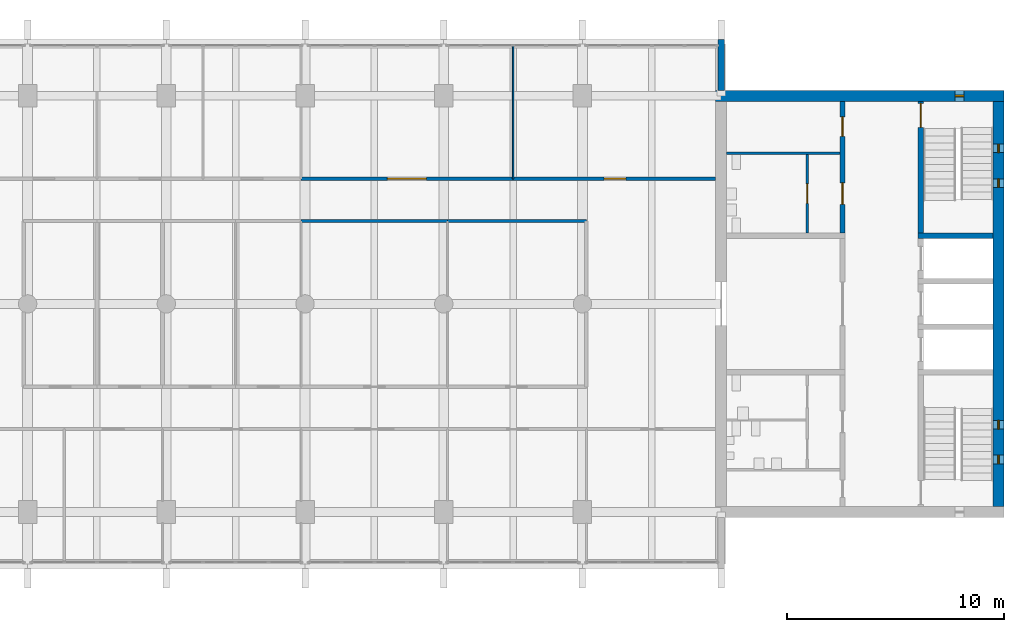
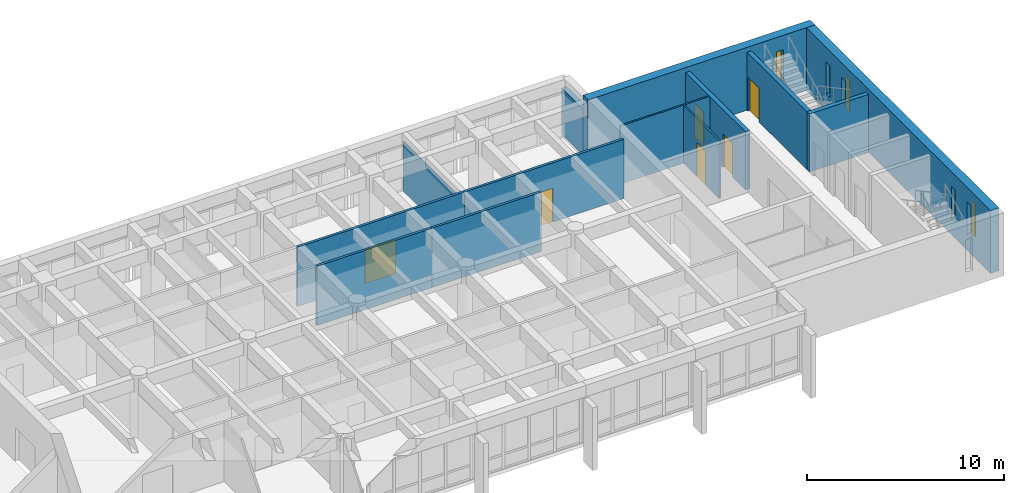
# One storey, part 12 of 15: 13 walls, 6 doors, 5 windows, 11 openings.
"""IFC4 building model written with IfcOpenShell, lengths in metres."""

from ifc_helpers import new_model, si_unit, direction, frame, frame_2d, origin, place, context, subcontext, project, spatial, rectangle, extrude, material, layer, layer_set, type_object, element, fill, save


model = new_model("IFC4")

# Units and contexts
model_context = context("Model", 3, precision=1e-05, world=origin(), true_north=direction((0.0, 1.0)))
body_context = subcontext(model_context, "Body", "Model", "MODEL_VIEW")
ifc_project = project(units=[si_unit("LENGTHUNIT", "METRE"), si_unit("AREAUNIT", "SQUARE_METRE"), si_unit("VOLUMEUNIT", "CUBIC_METRE"), si_unit("PLANEANGLEUNIT", "RADIAN"), si_unit("MASSUNIT", "GRAM", prefix="KILO")], contexts=[model_context])

# Site, building, storey
site_placement = place(None, origin())
site = spatial("IfcSite", under=ifc_project, at=site_placement, CompositionType="ELEMENT")
building_placement = place(site_placement, origin())
building = spatial("IfcBuilding", under=site, at=building_placement, Name="Fogon Plaza Fire Station and Headquarters Tower", CompositionType="ELEMENT")
storey_placement = place(building_placement, frame((0.0, 0.0, 52.199951171875)))
storey = spatial("IfcBuildingStorey", under=building, at=storey_placement, Name="L13", CompositionType="ELEMENT", Elevation=52.199951171875)

# Wall
ifc_material_1 = material(Name="Concrete C40", Category="concrete")
ifc_layer_1 = layer(ifc_material_1, 0.25)
ifc_layer_set_1 = layer_set([ifc_layer_1], Name="Concrete C40")
wall_type_1 = type_object("IfcWallType", Name="Core Wall RC 250", PredefinedType="SOLIDWALL", material=ifc_layer_set_1)
wall_1_placement = place(storey_placement, frame((76.550048828125, 46.35009765625, 0.0), z_axis=(0.0, 0.0, 1.0), x_axis=(-1.0, 0.0, 0.0)))
element("IfcWall", 1, at=wall_1_placement, inside=storey, type_object=wall_type_1, Name="Core B shaft wall", PredefinedType="SOLIDWALL", context=body_context, shape_type="SweptSolid", body=[
    extrude(rectangle(XDim=3.47509765625, YDim=0.25, at=frame_2d((1.737548828125, 0.0))), origin(), (0.0, 0.0, 1.0), 3.60009765625),
])

# Wall, opening, door
wall_2_placement = place(storey_placement, frame((73.199951171875, 46.47509765625, 0.0), z_axis=(0.0, 0.0, 1.0), x_axis=(0.0, 1.0, 0.0)))
wall_2 = element("IfcWall", 2, at=wall_2_placement, inside=storey, type_object=wall_type_1, Name="Core B shaft wall", PredefinedType="SOLIDWALL", context=body_context, shape_type="SweptSolid", body=[
    extrude(rectangle(XDim=6.074951171875, YDim=0.25, at=frame_2d((3.03759765625, 0.0))), origin(), (0.0, 0.0, 1.0), 3.60009765625),
])
opening_1_placement = place(wall_2_placement, frame((4.875, 0.0, 0.0)))
opening_1 = element("IfcOpeningElement", 3, at=opening_1_placement, cuts=wall_2, Name="Opening L13-D16", PredefinedType="OPENING", context=body_context, shape_type="SweptSolid", body=[
    extrude(rectangle(XDim=1.10009765625, YDim=2.10009765625, at=frame_2d((0.550048828125, 1.050048828125))), frame((0.0, 0.135009765625, 0.0), z_axis=(0.0, -1.0, 0.0), x_axis=(1.0, 0.0, 0.0)), (0.0, 0.0, 1.0), 0.27001953125),
])
ifc_material_2 = material(Name="Steel Fire Door Leaf", Category="steel")
door_type_1 = type_object("IfcDoorType", Name="Stair Door Single 1100x2100", OperationType="SINGLE_SWING_LEFT", PredefinedType="DOOR", material=ifc_material_2)
door_1_placement = place(opening_1_placement, frame((1.10009765625, 0.0, 0.0), z_axis=(0.0, 0.0, 1.0), x_axis=(-1.0, 0.0, 0.0)))
door_1 = element("IfcDoor", 4, at=door_1_placement, inside=storey, type_object=door_type_1, Name="Stair door ST4", OperationType="SINGLE_SWING_LEFT", OverallHeight=2.10009765625, OverallWidth=1.10009765625, PredefinedType="DOOR", context=body_context, shape_type="SweptSolid", body=[
    extrude(rectangle(XDim=1.10009765625, YDim=2.10009765625, at=frame_2d((0.550048828125, 1.050048828125))), frame((0.0, 0.02490234375, 0.0), z_axis=(0.0, -1.0, 0.0), x_axis=(1.0, 0.0, 0.0)), (0.0, 0.0, 1.0), 0.050048828125),
])
fill(opening_1, door_1)

# Wall, openings, doors
wall_3_placement = place(storey_placement, frame((69.60009765625, 46.47509765625, 0.0), z_axis=(0.0, 0.0, 1.0), x_axis=(0.0, 1.0, 0.0)))
wall_3 = element("IfcWall", 5, at=wall_3_placement, inside=storey, type_object=wall_type_1, Name="Core B shaft wall", PredefinedType="SOLIDWALL", context=body_context, shape_type="SweptSolid", body=[
    extrude(rectangle(XDim=6.074951171875, YDim=0.25, at=frame_2d((3.03759765625, 0.0))), origin(), (0.0, 0.0, 1.0), 3.60009765625),
])
opening_2_placement = place(wall_3_placement, frame((1.3125, 0.0, 0.0)))
opening_2 = element("IfcOpeningElement", 6, at=opening_2_placement, cuts=wall_3, Name="Opening L13-D26", PredefinedType="OPENING", context=body_context, shape_type="SweptSolid", body=[
    extrude(rectangle(XDim=1.0, YDim=2.10009765625, at=frame_2d((0.5, 1.050048828125))), frame((0.0, 0.135009765625, 0.0), z_axis=(0.0, -1.0, 0.0), x_axis=(1.0, 0.0, 0.0)), (0.0, 0.0, 1.0), 0.27001953125),
])
opening_3_placement = place(wall_3_placement, frame((4.449951171875, 0.0, 0.0)))
opening_3 = element("IfcOpeningElement", 7, at=opening_3_placement, cuts=wall_3, Name="Opening L13-D28", PredefinedType="OPENING", context=body_context, shape_type="SweptSolid", body=[
    extrude(rectangle(XDim=0.89990234375, YDim=2.10009765625, at=frame_2d((0.449951171875, 1.050048828125))), frame((0.0, 0.135009765625, 0.0), z_axis=(0.0, -1.0, 0.0), x_axis=(1.0, 0.0, 0.0)), (0.0, 0.0, 1.0), 0.27001953125),
])
ifc_material_3 = material(Name="Steel Fire Door Leaf", Category="steel")
door_type_2 = type_object("IfcDoorType", Name="Riser Single 900x2100", OperationType="SINGLE_SWING_LEFT", PredefinedType="DOOR", material=ifc_material_3)
door_2_placement = place(opening_3_placement, origin())
door_2 = element("IfcDoor", 8, at=door_2_placement, inside=storey, type_object=door_type_2, Name="Riser room B door", OperationType="SINGLE_SWING_RIGHT", OverallHeight=2.10009765625, OverallWidth=0.89990234375, PredefinedType="DOOR", context=body_context, shape_type="SweptSolid", body=[
    extrude(rectangle(XDim=0.89990234375, YDim=2.10009765625, at=frame_2d((0.449951171875, 1.050048828125))), frame((0.0, 0.02490234375, 0.0), z_axis=(0.0, -1.0, 0.0), x_axis=(1.0, 0.0, 0.0)), (0.0, 0.0, 1.0), 0.050048828125),
])
fill(opening_3, door_2)
ifc_material_4 = material(Name="Timber fire door", Category="wood")
door_type_3 = type_object("IfcDoorType", Name="WC Lobby Single 1000x2100", OperationType="SINGLE_SWING_LEFT", PredefinedType="DOOR", material=ifc_material_4)
door_3_placement = place(opening_2_placement, origin())
door_3 = element("IfcDoor", 9, at=door_3_placement, inside=storey, type_object=door_type_3, Name="Women's WC lobby B door", OperationType="SINGLE_SWING_RIGHT", OverallHeight=2.10009765625, OverallWidth=1.0, PredefinedType="DOOR", context=body_context, shape_type="SweptSolid", body=[
    extrude(rectangle(XDim=1.0, YDim=2.10009765625, at=frame_2d((0.5, 1.050048828125))), frame((0.0, 0.02490234375, 0.0), z_axis=(0.0, -1.0, 0.0), x_axis=(1.0, 0.0, 0.0)), (0.0, 0.0, 1.0), 0.050048828125),
])
fill(opening_2, door_3)

# Wall
ifc_material_5 = material(Name="Concrete C40", Category="concrete")
ifc_layer_2 = layer(ifc_material_5, 0.300048828125)
ifc_layer_set_2 = layer_set([ifc_layer_2], Name="Concrete C40")
wall_type_2 = type_object("IfcWallType", Name="Fair-faced RC Return Panel 300", PredefinedType="SOLIDWALL", material=ifc_layer_set_2)
wall_4_placement = place(storey_placement, frame((64.0, 53.050048828125, 0.0), z_axis=(0.0, 0.0, 1.0), x_axis=(0.0, 1.0, 0.0)))
element("IfcWall", 10, at=wall_4_placement, inside=storey, type_object=wall_type_2, Name="Bar end return EN L13", PredefinedType="SOLIDWALL", context=body_context, shape_type="SweptSolid", body=[
    extrude(rectangle(XDim=2.349853515625, YDim=0.300048828125, at=frame_2d((1.1748046875, 0.0))), origin(), (0.0, 0.0, 1.0), 2.880126953125),
])

# Wall, opening, door
ifc_material_6 = material(Name="Blockwork", Category="masonry")
ifc_layer_3 = layer(ifc_material_6, 0.10009765625)
ifc_layer_set_3 = layer_set([ifc_layer_3], Name="Blockwork")
wall_type_3 = type_object("IfcWallType", Name="Partition Blockwork 100", PredefinedType="PARTITIONING", material=ifc_layer_set_3)
wall_5_placement = place(storey_placement, frame((67.97509765625, 46.47509765625, 0.0), z_axis=(0.0, 0.0, 1.0), x_axis=(0.0, 1.0, 0.0)))
wall_5 = element("IfcWall", 11, at=wall_5_placement, inside=storey, type_object=wall_type_3, Name="WC block partition", PredefinedType="PARTITIONING", context=body_context, shape_type="SweptSolid", body=[
    extrude(rectangle(XDim=3.625, YDim=0.10009765625, at=frame_2d((1.8125, 0.0))), origin(), (0.0, 0.0, 1.0), 3.60009765625),
])
opening_4_placement = place(wall_5_placement, frame((1.362548828125, 0.0, 0.0)))
opening_4 = element("IfcOpeningElement", 12, at=opening_4_placement, cuts=wall_5, Name="Opening L13-D27", PredefinedType="OPENING", context=body_context, shape_type="SweptSolid", body=[
    extrude(rectangle(XDim=0.89990234375, YDim=2.10009765625, at=frame_2d((0.449951171875, 1.050048828125))), frame((0.0, 0.06005859375, 0.0), z_axis=(0.0, -1.0, 0.0), x_axis=(1.0, 0.0, 0.0)), (0.0, 0.0, 1.0), 0.1201171875),
])
ifc_material_7 = material(Name="Timber Door Leaf", Category="wood")
door_type_4 = type_object("IfcDoorType", Name="WC Single 900x2100", OperationType="SINGLE_SWING_LEFT", PredefinedType="DOOR", material=ifc_material_7)
door_4_placement = place(opening_4_placement, origin())
door_4 = element("IfcDoor", 13, at=door_4_placement, inside=storey, type_object=door_type_4, Name="Women's WC B door", OperationType="SINGLE_SWING_LEFT", OverallHeight=2.10009765625, OverallWidth=0.89990234375, PredefinedType="DOOR", context=body_context, shape_type="SweptSolid", body=[
    extrude(rectangle(XDim=0.89990234375, YDim=2.10009765625, at=frame_2d((0.449951171875, 1.050048828125))), frame((0.0, 0.02490234375, 0.0), z_axis=(0.0, -1.0, 0.0), x_axis=(1.0, 0.0, 0.0)), (0.0, 0.0, 1.0), 0.050048828125),
])
fill(opening_4, door_4)

# Wall
ifc_material_8 = material(Name="Blockwork", Category="masonry")
ifc_layer_4 = layer(ifc_material_8, 0.10009765625)
ifc_layer_set_4 = layer_set([ifc_layer_4], Name="Blockwork")
wall_type_4 = type_object("IfcWallType", Name="Riser Partition Blockwork 100", PredefinedType="PARTITIONING", material=ifc_layer_set_4)
wall_6_placement = place(storey_placement, frame((69.47509765625, 50.14990234375, 0.0), z_axis=(0.0, 0.0, 1.0), x_axis=(-1.0, 0.0, 0.0)))
element("IfcWall", 14, at=wall_6_placement, inside=storey, type_object=wall_type_4, Name="Riser room partition", PredefinedType="PARTITIONING", context=body_context, shape_type="SweptSolid", body=[
    extrude(rectangle(XDim=5.22509765625, YDim=0.10009765625, at=frame_2d((2.612548828125, 0.0))), origin(), (0.0, 0.0, 1.0), 3.60009765625),
])

# Wall, opening, window
ifc_material_9 = material(Name="Concrete C40", Category="concrete")
ifc_layer_5 = layer(ifc_material_9, 0.5)
ifc_layer_set_5 = layer_set([ifc_layer_5], Name="Concrete C40")
wall_type_5 = type_object("IfcWallType", Name="Shear wall 500 SW50", PredefinedType="SHEAR", material=ifc_layer_set_5)
wall_7_placement = place(storey_placement, frame((63.75, 52.800048828125, 0.0), z_axis=(0.0, 0.0, 1.0), x_axis=(1.0, 0.0, 0.0)))
wall_7 = element("IfcWall", 15, at=wall_7_placement, inside=storey, type_object=wall_type_5, Name="wall-coreB-N-L13", PredefinedType="SHEAR", context=body_context, shape_type="SweptSolid", body=[
    extrude(rectangle(XDim=13.300048828125, YDim=0.5, at=frame_2d((6.64990234375, 0.0))), origin(), (0.0, 0.0, 1.0), 3.900146484375),
])
opening_5_placement = place(wall_7_placement, frame((11.050048828125, 0.0, 1.0)))
opening_5 = element("IfcOpeningElement", 16, at=opening_5_placement, cuts=wall_7, Name="Opening WS1", PredefinedType="OPENING", context=body_context, shape_type="SweptSolid", body=[
    extrude(rectangle(XDim=0.39990234375, YDim=2.0, at=frame_2d((0.199951171875, 1.0))), frame((0.0, 0.260009765625, 0.0), z_axis=(0.0, -1.0, 0.0), x_axis=(1.0, 0.0, 0.0)), (0.0, 0.0, 1.0), 0.52001953125),
])
ifc_material_10 = material(Name="Aluminium framed double glazing", Category="aluminium")
window_type = type_object("IfcWindowType", Name="Slit Window WS1 400x2000", PartitioningType="SINGLE_PANEL", PredefinedType="WINDOW", material=ifc_material_10)
window_1_placement = place(opening_5_placement, origin())
window_1 = element("IfcWindow", 17, at=window_1_placement, inside=storey, type_object=window_type, Name="Slit window B6 L13", OverallHeight=2.0, OverallWidth=0.39990234375, PartitioningType="SINGLE_PANEL", PredefinedType="WINDOW", context=body_context, shape_type="SweptSolid", body=[
    extrude(rectangle(XDim=0.39990234375, YDim=2.0, at=frame_2d((0.199951171875, 1.0))), frame((0.0, 0.030029296875, 0.0), z_axis=(0.0, -1.0, 0.0), x_axis=(1.0, 0.0, 0.0)), (0.0, 0.0, 1.0), 0.06005859375),
])
fill(opening_5, window_1)

# Wall, openings, windows
wall_8_placement = place(storey_placement, frame((76.800048828125, 33.85009765625, 0.0), z_axis=(0.0, 0.0, 1.0), x_axis=(0.0, 1.0, 0.0)))
wall_8 = element("IfcWall", 18, at=wall_8_placement, inside=storey, type_object=wall_type_5, Name="wall-coreB-E-L13", PredefinedType="SHEAR", context=body_context, shape_type="SweptSolid", body=[
    extrude(rectangle(XDim=18.699951171875, YDim=0.5, at=frame_2d((9.35009765625, 0.0))), origin(), (0.0, 0.0, 1.0), 3.900146484375),
])
opening_6_placement = place(wall_8_placement, frame((1.97509765625, 0.0, 1.0)))
opening_6 = element("IfcOpeningElement", 19, at=opening_6_placement, cuts=wall_8, Name="Opening WS1", PredefinedType="OPENING", context=body_context, shape_type="SweptSolid", body=[
    extrude(rectangle(XDim=0.39990234375, YDim=2.0, at=frame_2d((0.199951171875, 1.0))), frame((0.0, 0.260009765625, 0.0), z_axis=(0.0, -1.0, 0.0), x_axis=(1.0, 0.0, 0.0)), (0.0, 0.0, 1.0), 0.52001953125),
])
opening_7_placement = place(wall_8_placement, frame((3.574951171875, 0.0, 1.0)))
opening_7 = element("IfcOpeningElement", 20, at=opening_7_placement, cuts=wall_8, Name="Opening WS1", PredefinedType="OPENING", context=body_context, shape_type="SweptSolid", body=[
    extrude(rectangle(XDim=0.39990234375, YDim=2.0, at=frame_2d((0.199951171875, 1.0))), frame((0.0, 0.260009765625, 0.0), z_axis=(0.0, -1.0, 0.0), x_axis=(1.0, 0.0, 0.0)), (0.0, 0.0, 1.0), 0.52001953125),
])
opening_8_placement = place(wall_8_placement, frame((14.72509765625, 0.0, 1.0)))
opening_8 = element("IfcOpeningElement", 21, at=opening_8_placement, cuts=wall_8, Name="Opening WS1", PredefinedType="OPENING", context=body_context, shape_type="SweptSolid", body=[
    extrude(rectangle(XDim=0.39990234375, YDim=2.0, at=frame_2d((0.199951171875, 1.0))), frame((0.0, 0.260009765625, 0.0), z_axis=(0.0, -1.0, 0.0), x_axis=(1.0, 0.0, 0.0)), (0.0, 0.0, 1.0), 0.52001953125),
])
opening_9_placement = place(wall_8_placement, frame((16.324951171875, 0.0, 1.0)))
opening_9 = element("IfcOpeningElement", 22, at=opening_9_placement, cuts=wall_8, Name="Opening WS1", PredefinedType="OPENING", context=body_context, shape_type="SweptSolid", body=[
    extrude(rectangle(XDim=0.39990234375, YDim=2.0, at=frame_2d((0.199951171875, 1.0))), frame((0.0, 0.260009765625, 0.0), z_axis=(0.0, -1.0, 0.0), x_axis=(1.0, 0.0, 0.0)), (0.0, 0.0, 1.0), 0.52001953125),
])
window_2_placement = place(opening_6_placement, origin())
window_2 = element("IfcWindow", 23, at=window_2_placement, inside=storey, type_object=window_type, Name="Slit window B1 L13", OverallHeight=2.0, OverallWidth=0.39990234375, PartitioningType="SINGLE_PANEL", PredefinedType="WINDOW", context=body_context, shape_type="SweptSolid", body=[
    extrude(rectangle(XDim=0.39990234375, YDim=2.0, at=frame_2d((0.199951171875, 1.0))), frame((0.0, 0.030029296875, 0.0), z_axis=(0.0, -1.0, 0.0), x_axis=(1.0, 0.0, 0.0)), (0.0, 0.0, 1.0), 0.06005859375),
])
fill(opening_6, window_2)
window_3_placement = place(opening_7_placement, origin())
window_3 = element("IfcWindow", 24, at=window_3_placement, inside=storey, type_object=window_type, Name="Slit window B2 L13", OverallHeight=2.0, OverallWidth=0.39990234375, PartitioningType="SINGLE_PANEL", PredefinedType="WINDOW", context=body_context, shape_type="SweptSolid", body=[
    extrude(rectangle(XDim=0.39990234375, YDim=2.0, at=frame_2d((0.199951171875, 1.0))), frame((0.0, 0.030029296875, 0.0), z_axis=(0.0, -1.0, 0.0), x_axis=(1.0, 0.0, 0.0)), (0.0, 0.0, 1.0), 0.06005859375),
])
fill(opening_7, window_3)
window_4_placement = place(opening_8_placement, origin())
window_4 = element("IfcWindow", 25, at=window_4_placement, inside=storey, type_object=window_type, Name="Slit window B3 L13", OverallHeight=2.0, OverallWidth=0.39990234375, PartitioningType="SINGLE_PANEL", PredefinedType="WINDOW", context=body_context, shape_type="SweptSolid", body=[
    extrude(rectangle(XDim=0.39990234375, YDim=2.0, at=frame_2d((0.199951171875, 1.0))), frame((0.0, 0.030029296875, 0.0), z_axis=(0.0, -1.0, 0.0), x_axis=(1.0, 0.0, 0.0)), (0.0, 0.0, 1.0), 0.06005859375),
])
fill(opening_8, window_4)
window_5_placement = place(opening_9_placement, origin())
window_5 = element("IfcWindow", 26, at=window_5_placement, inside=storey, type_object=window_type, Name="Slit window B4 L13", OverallHeight=2.0, OverallWidth=0.39990234375, PartitioningType="SINGLE_PANEL", PredefinedType="WINDOW", context=body_context, shape_type="SweptSolid", body=[
    extrude(rectangle(XDim=0.39990234375, YDim=2.0, at=frame_2d((0.199951171875, 1.0))), frame((0.0, 0.030029296875, 0.0), z_axis=(0.0, -1.0, 0.0), x_axis=(1.0, 0.0, 0.0)), (0.0, 0.0, 1.0), 0.06005859375),
])
fill(opening_9, window_5)

# Walls
ifc_material_11 = material(Name="Gypsum board on steel stud", Category="steel")
ifc_layer_6 = layer(ifc_material_11, 0.14990234375)
ifc_layer_set_6 = layer_set([ifc_layer_6], Name="Gypsum board on steel stud")
wall_type_6 = type_object("IfcWallType", Name="Tower corridor partition 150 EI 60", PredefinedType="PARTITIONING", material=ifc_layer_set_6)
wall_9_placement = place(storey_placement, frame((44.6201171875, 47.02490234375, 0.0), z_axis=(0.0, 0.0, 1.0), x_axis=(1.0, 0.0, 0.0)))
element("IfcWall", 27, at=wall_9_placement, inside=storey, type_object=wall_type_6, Name="part-L13-25", PredefinedType="PARTITIONING", context=body_context, shape_type="SweptSolid", body=[
    extrude(rectangle(XDim=6.759765625, YDim=0.14990234375, at=frame_2d((3.3798828125, 0.0))), origin(), (0.0, 0.0, 1.0), 3.679931640625),
])
wall_10_placement = place(storey_placement, frame((51.3798828125, 47.02490234375, 0.0), z_axis=(0.0, 0.0, 1.0), x_axis=(1.0, 0.0, 0.0)))
element("IfcWall", 28, at=wall_10_placement, inside=storey, type_object=wall_type_6, Name="part-L13-27", PredefinedType="PARTITIONING", context=body_context, shape_type="SweptSolid", body=[
    extrude(rectangle(XDim=6.400146484375, YDim=0.14990234375, at=frame_2d((3.2001953125, 0.0))), origin(), (0.0, 0.0, 1.0), 3.679931640625),
])

# Wall, opening, door
wall_11_placement = place(storey_placement, frame((44.6201171875, 48.97509765625, 0.0), z_axis=(0.0, 0.0, 1.0), x_axis=(1.0, 0.0, 0.0)))
wall_11 = element("IfcWall", 29, at=wall_11_placement, inside=storey, type_object=wall_type_6, Name="part-L13-40", PredefinedType="PARTITIONING", context=body_context, shape_type="SweptSolid", body=[
    extrude(rectangle(XDim=9.77978515625, YDim=0.14990234375, at=frame_2d((4.889892578125, 0.0))), origin(), (0.0, 0.0, 1.0), 3.679931640625),
])
opening_10_placement = place(wall_11_placement, frame((3.97998046875, 0.0, 0.0)))
opening_10 = element("IfcOpeningElement", 30, at=opening_10_placement, cuts=wall_11, Name="Opening L13-D45", PredefinedType="OPENING", context=body_context, shape_type="SweptSolid", body=[
    extrude(rectangle(XDim=1.800048828125, YDim=2.10009765625, at=frame_2d((0.89990234375, 1.050048828125))), frame((0.0, 0.0849609375, 0.0), z_axis=(0.0, -1.0, 0.0), x_axis=(1.0, 0.0, 0.0)), (0.0, 0.0, 1.0), 0.169921875),
])
ifc_material_12 = material(Name="Timber fire door", Category="wood")
door_type_5 = type_object("IfcDoorType", Name="Tower fire door double 1800 EI 20", OperationType="DOUBLE_DOOR_SINGLE_SWING", PredefinedType="DOOR", material=ifc_material_12)
door_5_placement = place(opening_10_placement, origin())
door_5 = element("IfcDoor", 31, at=door_5_placement, inside=storey, type_object=door_type_5, Name="door-L13-17", OperationType="DOUBLE_DOOR_SINGLE_SWING", OverallHeight=2.10009765625, OverallWidth=1.800048828125, PredefinedType="DOOR", context=body_context, shape_type="SweptSolid", body=[
    extrude(rectangle(XDim=1.800048828125, YDim=2.10009765625, at=frame_2d((0.89990234375, 1.050048828125))), frame((0.0, 0.02490234375, 0.0), z_axis=(0.0, -1.0, 0.0), x_axis=(1.0, 0.0, 0.0)), (0.0, 0.0, 1.0), 0.050048828125),
])
fill(opening_10, door_5)

wall_12_placement = place(storey_placement, frame((54.39990234375, 48.97509765625, 0.0), z_axis=(0.0, 0.0, 1.0), x_axis=(1.0, 0.0, 0.0)))
wall_12 = element("IfcWall", 32, at=wall_12_placement, inside=storey, type_object=wall_type_6, Name="part-L13-41", PredefinedType="PARTITIONING", context=body_context, shape_type="SweptSolid", body=[
    extrude(rectangle(XDim=9.35009765625, YDim=0.14990234375, at=frame_2d((4.675048828125, 0.0))), origin(), (0.0, 0.0, 1.0), 3.679931640625),
])
opening_11_placement = place(wall_12_placement, frame((4.199951171875, 0.0, 0.0)))
opening_11 = element("IfcOpeningElement", 33, at=opening_11_placement, cuts=wall_12, Name="Opening L13-D46", PredefinedType="OPENING", context=body_context, shape_type="SweptSolid", body=[
    extrude(rectangle(XDim=1.0, YDim=2.10009765625, at=frame_2d((0.5, 1.050048828125))), frame((0.0, 0.0849609375, 0.0), z_axis=(0.0, -1.0, 0.0), x_axis=(1.0, 0.0, 0.0)), (0.0, 0.0, 1.0), 0.169921875),
])
ifc_material_13 = material(Name="Fire rated glazed door")
door_type_6 = type_object("IfcDoorType", Name="Tower glazed fire door single 1000 EI 20", OperationType="SINGLE_SWING_LEFT", PredefinedType="DOOR", material=ifc_material_13)
door_6_placement = place(opening_11_placement, origin())
door_6 = element("IfcDoor", 34, at=door_6_placement, inside=storey, type_object=door_type_6, Name="door-L13-18", OperationType="SINGLE_SWING_RIGHT", OverallHeight=2.10009765625, OverallWidth=1.0, PredefinedType="DOOR", context=body_context, shape_type="SweptSolid", body=[
    extrude(rectangle(XDim=1.0, YDim=2.10009765625, at=frame_2d((0.5, 1.050048828125))), frame((0.0, 0.02490234375, 0.0), z_axis=(0.0, -1.0, 0.0), x_axis=(1.0, 0.0, 0.0)), (0.0, 0.0, 1.0), 0.050048828125),
])
fill(opening_11, door_6)

# Wall
ifc_material_14 = material(Name="Glazed aluminium partition", Category="aluminium")
ifc_layer_7 = layer(ifc_material_14, 0.074951171875)
ifc_layer_set_7 = layer_set([ifc_layer_7], Name="Glazed aluminium partition")
wall_type_7 = type_object("IfcWallType", Name="Tower glazed partition 75 Beam Head 600", PredefinedType="PARTITIONING", material=ifc_layer_set_7)
wall_13_placement = place(storey_placement, frame((54.39990234375, 48.97509765625, 0.0), z_axis=(0.0, 0.0, 1.0), x_axis=(0.0, 1.0, 0.0)))
element("IfcWall", 35, at=wall_13_placement, inside=storey, type_object=wall_type_7, Name="part-L13-47", PredefinedType="PARTITIONING", context=body_context, shape_type="SweptSolid", body=[
    extrude(rectangle(XDim=6.125, YDim=0.074951171875, at=frame_2d((3.0625, 0.0))), origin(), (0.0, 0.0, 1.0), 3.080078125),
])

save(model, "model.ifc")
